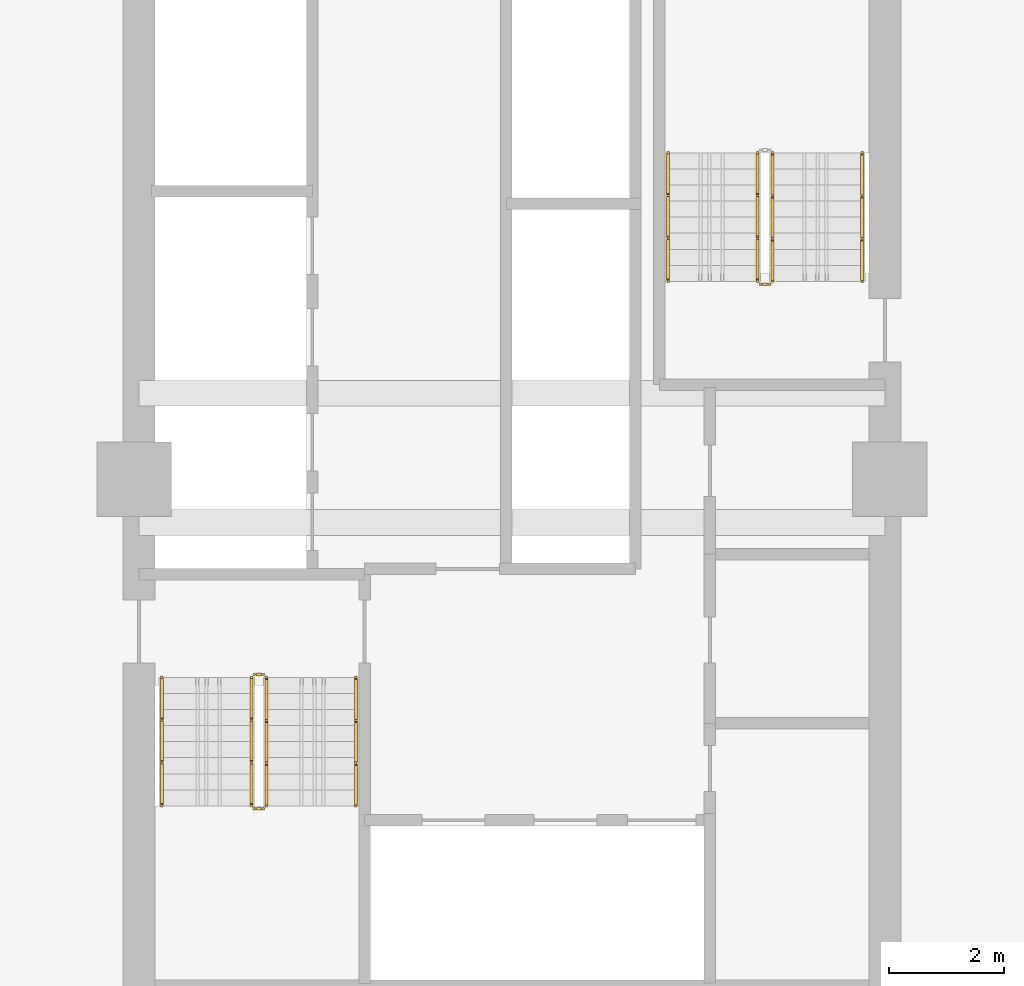
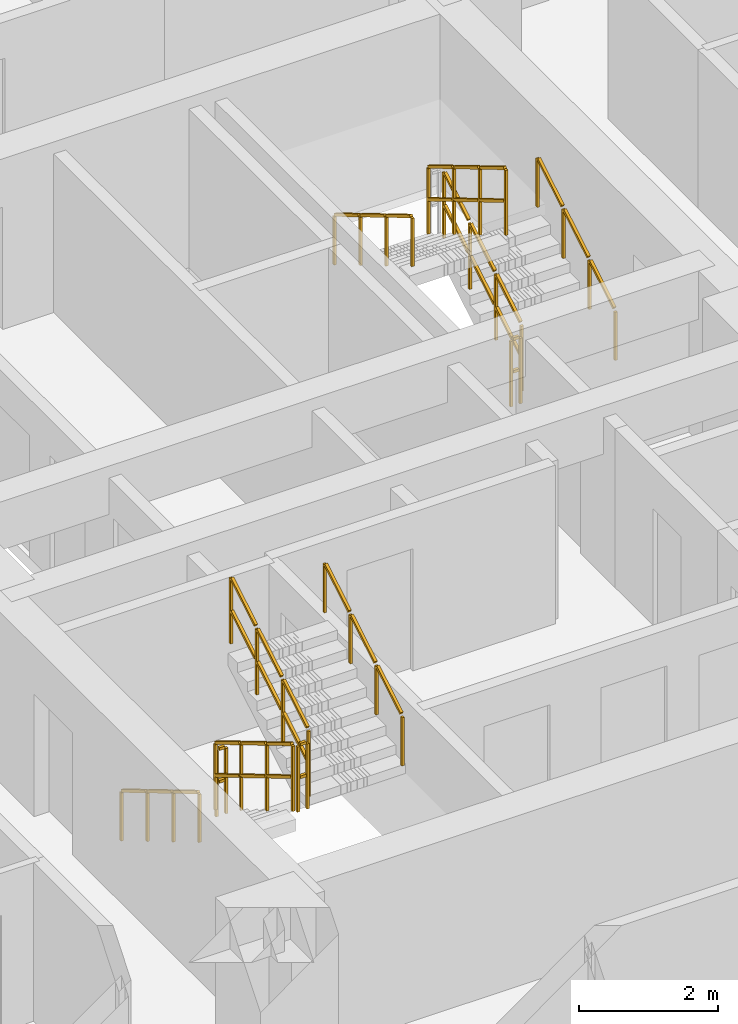
# One storey, part 23 of 25: 11 railings.
"""IFC4 building model written with IfcOpenShell, lengths in metres."""

from ifc_helpers import new_model, si_unit, direction, frame, origin, origin_2d, place, context, subcontext, project, spatial, rectangle, extrude, material, type_object, element, save


model = new_model("IFC4")

# Units and contexts
model_context = context("Model", 3, precision=1e-05, world=origin(), true_north=direction((0.0, 1.0)))
body_context = subcontext(model_context, "Body", "Model", "MODEL_VIEW")
ifc_project = project(units=[si_unit("LENGTHUNIT", "METRE"), si_unit("AREAUNIT", "SQUARE_METRE"), si_unit("VOLUMEUNIT", "CUBIC_METRE"), si_unit("PLANEANGLEUNIT", "RADIAN"), si_unit("MASSUNIT", "GRAM", prefix="KILO")], contexts=[model_context])

# Site, building, storey
site_placement = place(None, origin())
site = spatial("IfcSite", under=ifc_project, at=site_placement, CompositionType="ELEMENT")
building_placement = place(site_placement, origin())
building = spatial("IfcBuilding", under=site, at=building_placement, Name="Saelheon Loggia Tower", CompositionType="ELEMENT")
storey_placement = place(building_placement, frame((0.0, 0.0, 80.85009765625)))
storey = spatial("IfcBuildingStorey", under=building, at=storey_placement, Name="L25", CompositionType="ELEMENT", Elevation=80.85009765625)

# Railings
ifc_material_1 = material(Name="Galvanised Steel S275 Stairwell Guardrail", Category="steel")
railing_type_1 = type_object("IfcRailingType", Name="Guard_StairWell_RL_STG", PredefinedType="GUARDRAIL", material=ifc_material_1)
railing_1_placement = place(storey_placement, frame((33.4599609375, 23.550048828125, 0.16650390625)))
element("IfcRailing", 1, at=railing_1_placement, inside=storey, type_object=railing_type_1, Name="L25 ST1 stair guard 1", PredefinedType="GUARDRAIL", context=body_context, shape_type="SweptSolid", body=[
    extrude(rectangle(XDim=0.048095703125, YDim=0.048095703125, at=origin_2d()), frame((0.0, -0.028564453125, 1.19287109375), z_axis=(0.0, -0.859264461869, 0.511531606619), x_axis=(1.0, 0.0, 0.0)), (0.0, 0.0, 1.0), 0.802490234375),
    extrude(rectangle(XDim=0.048095703125, YDim=0.048095703125, at=origin_2d()), frame((0.0, -0.028564453125, 0.616943359375), z_axis=(0.0, -0.859264461869, 0.511531606619), x_axis=(1.0, 0.0, 0.0)), (0.0, 0.0, 1.0), 0.802490234375),
    extrude(rectangle(XDim=0.048095703125, YDim=0.048095703125, at=origin_2d()), frame((0.0, -0.775146484375, 1.637451171875), z_axis=(0.0, -0.859264461869, 0.511531606619), x_axis=(1.0, 0.0, 0.0)), (0.0, 0.0, 1.0), 0.802490234375),
    extrude(rectangle(XDim=0.048095703125, YDim=0.048095703125, at=origin_2d()), frame((0.0, -0.775146484375, 1.0615234375), z_axis=(0.0, -0.859264461869, 0.511531606619), x_axis=(1.0, 0.0, 0.0)), (0.0, 0.0, 1.0), 0.802490234375),
    extrude(rectangle(XDim=0.048095703125, YDim=0.048095703125, at=origin_2d()), frame((0.0, -1.52197265625, 2.081787109375), z_axis=(0.0, -0.859264461869, 0.511531606619), x_axis=(1.0, 0.0, 0.0)), (0.0, 0.0, 1.0), 0.802490234375),
    extrude(rectangle(XDim=0.048095703125, YDim=0.048095703125, at=origin_2d()), frame((0.0, -1.52197265625, 1.505859375), z_axis=(0.0, -0.859264461869, 0.511531606619), x_axis=(1.0, 0.0, 0.0)), (0.0, 0.0, 1.0), 0.802490234375),
    extrude(rectangle(XDim=0.0419921875, YDim=0.0419921875, at=origin_2d()), origin(), (0.0, 0.0, 1.0), 1.14794921875),
    extrude(rectangle(XDim=0.0419921875, YDim=0.0419921875, at=origin_2d()), frame((0.0, -0.74658203125, 0.444580078125)), (0.0, 0.0, 1.0), 1.14794921875),
    extrude(rectangle(XDim=0.0419921875, YDim=0.0419921875, at=origin_2d()), frame((0.0, -1.493408203125, 0.888916015625)), (0.0, 0.0, 1.0), 1.14794921875),
    extrude(rectangle(XDim=0.0419921875, YDim=0.0419921875, at=origin_2d()), frame((0.0, -2.239990234375, 1.33349609375)), (0.0, 0.0, 1.0), 1.14794921875),
])
railing_2_placement = place(storey_placement, frame((33.510009765625, 21.260009765625, 1.5)))
element("IfcRailing", 2, at=railing_2_placement, inside=storey, type_object=railing_type_1, Name="L25 ST1 stair guard 2", PredefinedType="GUARDRAIL", context=body_context, shape_type="SweptSolid", body=[
    extrude(rectangle(XDim=0.048095703125, YDim=0.048095703125, at=origin_2d()), frame((0.033203125, 0.0, 1.17578125), z_axis=(1.0, 0.0, 0.0), x_axis=(0.0, 1.0, 0.0)), (0.0, 0.0, 1.0), 0.093505859375),
    extrude(rectangle(XDim=0.048095703125, YDim=0.048095703125, at=origin_2d()), frame((0.033203125, 0.0, 0.60009765625), z_axis=(1.0, 0.0, 0.0), x_axis=(0.0, 1.0, 0.0)), (0.0, 0.0, 1.0), 0.093505859375),
    extrude(rectangle(XDim=0.0419921875, YDim=0.0419921875, at=origin_2d()), origin(), (0.0, 0.0, 1.0), 1.14794921875),
    extrude(rectangle(XDim=0.0419921875, YDim=0.0419921875, at=origin_2d()), frame((0.159912109375, 0.0, 0.0)), (0.0, 0.0, 1.0), 1.14794921875),
])
railing_3_placement = place(storey_placement, frame((33.719970703125, 21.31005859375, 1.66650390625)))
element("IfcRailing", 3, at=railing_3_placement, inside=storey, type_object=railing_type_1, Name="L25 ST1 stair guard 3", PredefinedType="GUARDRAIL", context=body_context, shape_type="SweptSolid", body=[
    extrude(rectangle(XDim=0.048095703125, YDim=0.048095703125, at=origin_2d()), frame((0.0, 0.028564453125, 1.19287109375), z_axis=(0.0, 0.859264461869, 0.511531606619), x_axis=(-1.0, 0.0, 0.0)), (0.0, 0.0, 1.0), 0.802490234375),
    extrude(rectangle(XDim=0.048095703125, YDim=0.048095703125, at=origin_2d()), frame((0.0, 0.028564453125, 0.616943359375), z_axis=(0.0, 0.859264461869, 0.511531606619), x_axis=(-1.0, 0.0, 0.0)), (0.0, 0.0, 1.0), 0.802490234375),
    extrude(rectangle(XDim=0.048095703125, YDim=0.048095703125, at=origin_2d()), frame((0.0, 0.775146484375, 1.637451171875), z_axis=(0.0, 0.859264461869, 0.511531606619), x_axis=(-1.0, 0.0, 0.0)), (0.0, 0.0, 1.0), 0.802490234375),
    extrude(rectangle(XDim=0.048095703125, YDim=0.048095703125, at=origin_2d()), frame((0.0, 0.775146484375, 1.0615234375), z_axis=(0.0, 0.859264461869, 0.511531606619), x_axis=(-1.0, 0.0, 0.0)), (0.0, 0.0, 1.0), 0.802490234375),
    extrude(rectangle(XDim=0.048095703125, YDim=0.048095703125, at=origin_2d()), frame((0.0, 1.52197265625, 2.081787109375), z_axis=(0.0, 0.859264461869, 0.511531606619), x_axis=(-1.0, 0.0, 0.0)), (0.0, 0.0, 1.0), 0.802490234375),
    extrude(rectangle(XDim=0.048095703125, YDim=0.048095703125, at=origin_2d()), frame((0.0, 1.52197265625, 1.505859375), z_axis=(0.0, 0.859264461869, 0.511531606619), x_axis=(-1.0, 0.0, 0.0)), (0.0, 0.0, 1.0), 0.802490234375),
    extrude(rectangle(XDim=0.0419921875, YDim=0.0419921875, at=origin_2d()), origin(), (0.0, 0.0, 1.0), 1.14794921875),
    extrude(rectangle(XDim=0.0419921875, YDim=0.0419921875, at=origin_2d()), frame((0.0, 0.74658203125, 0.444580078125)), (0.0, 0.0, 1.0), 1.14794921875),
    extrude(rectangle(XDim=0.0419921875, YDim=0.0419921875, at=origin_2d()), frame((0.0, 1.493408203125, 0.888916015625)), (0.0, 0.0, 1.0), 1.14794921875),
    extrude(rectangle(XDim=0.0419921875, YDim=0.0419921875, at=origin_2d()), frame((0.0, 2.239990234375, 1.33349609375)), (0.0, 0.0, 1.0), 1.14794921875),
])
railing_4_placement = place(storey_placement, frame((33.510009765625, 23.60009765625, 0.0)))
element("IfcRailing", 4, at=railing_4_placement, inside=storey, type_object=railing_type_1, Name="L25 ST1 stair guard 4", PredefinedType="GUARDRAIL", context=body_context, shape_type="SweptSolid", body=[
    extrude(rectangle(XDim=0.048095703125, YDim=0.048095703125, at=origin_2d()), frame((0.033203125, 0.0, 1.17578125), z_axis=(1.0, 0.0, 0.0), x_axis=(0.0, 1.0, 0.0)), (0.0, 0.0, 1.0), 0.093505859375),
    extrude(rectangle(XDim=0.048095703125, YDim=0.048095703125, at=origin_2d()), frame((0.033203125, 0.0, 0.60009765625), z_axis=(1.0, 0.0, 0.0), x_axis=(0.0, 1.0, 0.0)), (0.0, 0.0, 1.0), 0.093505859375),
    extrude(rectangle(XDim=0.0419921875, YDim=0.0419921875, at=origin_2d()), origin(), (0.0, 0.0, 1.0), 1.14794921875),
    extrude(rectangle(XDim=0.0419921875, YDim=0.0419921875, at=origin_2d()), frame((0.159912109375, 0.0, 0.0)), (0.0, 0.0, 1.0), 1.14794921875),
])
railing_5_placement = place(storey_placement, frame((42.5400390625, 30.449951171875, 0.16650390625)))
element("IfcRailing", 5, at=railing_5_placement, inside=storey, type_object=railing_type_1, Name="L25 ST2 stair guard 1", PredefinedType="GUARDRAIL", context=body_context, shape_type="SweptSolid", body=[
    extrude(rectangle(XDim=0.048095703125, YDim=0.048095703125, at=origin_2d()), frame((0.0, 0.028564453125, 1.19287109375), z_axis=(0.0, 0.859264461869, 0.511531606619), x_axis=(-1.0, 0.0, 0.0)), (0.0, 0.0, 1.0), 0.802490234375),
    extrude(rectangle(XDim=0.048095703125, YDim=0.048095703125, at=origin_2d()), frame((0.0, 0.028564453125, 0.616943359375), z_axis=(0.0, 0.859264461869, 0.511531606619), x_axis=(-1.0, 0.0, 0.0)), (0.0, 0.0, 1.0), 0.802490234375),
    extrude(rectangle(XDim=0.048095703125, YDim=0.048095703125, at=origin_2d()), frame((0.0, 0.775146484375, 1.637451171875), z_axis=(0.0, 0.859264461869, 0.511531606619), x_axis=(-1.0, 0.0, 0.0)), (0.0, 0.0, 1.0), 0.802490234375),
    extrude(rectangle(XDim=0.048095703125, YDim=0.048095703125, at=origin_2d()), frame((0.0, 0.775146484375, 1.0615234375), z_axis=(0.0, 0.859264461869, 0.511531606619), x_axis=(-1.0, 0.0, 0.0)), (0.0, 0.0, 1.0), 0.802490234375),
    extrude(rectangle(XDim=0.048095703125, YDim=0.048095703125, at=origin_2d()), frame((0.0, 1.52197265625, 2.081787109375), z_axis=(0.0, 0.859264461869, 0.511531606619), x_axis=(-1.0, 0.0, 0.0)), (0.0, 0.0, 1.0), 0.802490234375),
    extrude(rectangle(XDim=0.048095703125, YDim=0.048095703125, at=origin_2d()), frame((0.0, 1.52197265625, 1.505859375), z_axis=(0.0, 0.859264461869, 0.511531606619), x_axis=(-1.0, 0.0, 0.0)), (0.0, 0.0, 1.0), 0.802490234375),
    extrude(rectangle(XDim=0.0419921875, YDim=0.0419921875, at=origin_2d()), origin(), (0.0, 0.0, 1.0), 1.14794921875),
    extrude(rectangle(XDim=0.0419921875, YDim=0.0419921875, at=origin_2d()), frame((0.0, 0.74658203125, 0.444580078125)), (0.0, 0.0, 1.0), 1.14794921875),
    extrude(rectangle(XDim=0.0419921875, YDim=0.0419921875, at=origin_2d()), frame((0.0, 1.493408203125, 0.888916015625)), (0.0, 0.0, 1.0), 1.14794921875),
    extrude(rectangle(XDim=0.0419921875, YDim=0.0419921875, at=origin_2d()), frame((0.0, 2.239990234375, 1.33349609375)), (0.0, 0.0, 1.0), 1.14794921875),
])
railing_6_placement = place(storey_placement, frame((42.280029296875, 32.68994140625, 1.66650390625)))
element("IfcRailing", 6, at=railing_6_placement, inside=storey, type_object=railing_type_1, Name="L25 ST2 stair guard 3", PredefinedType="GUARDRAIL", context=body_context, shape_type="SweptSolid", body=[
    extrude(rectangle(XDim=0.048095703125, YDim=0.048095703125, at=origin_2d()), frame((0.0, -0.028564453125, 1.19287109375), z_axis=(0.0, -0.859264461869, 0.511531606619), x_axis=(1.0, 0.0, 0.0)), (0.0, 0.0, 1.0), 0.802490234375),
    extrude(rectangle(XDim=0.048095703125, YDim=0.048095703125, at=origin_2d()), frame((0.0, -0.028564453125, 0.616943359375), z_axis=(0.0, -0.859264461869, 0.511531606619), x_axis=(1.0, 0.0, 0.0)), (0.0, 0.0, 1.0), 0.802490234375),
    extrude(rectangle(XDim=0.048095703125, YDim=0.048095703125, at=origin_2d()), frame((0.0, -0.775146484375, 1.637451171875), z_axis=(0.0, -0.859264461869, 0.511531606619), x_axis=(1.0, 0.0, 0.0)), (0.0, 0.0, 1.0), 0.802490234375),
    extrude(rectangle(XDim=0.048095703125, YDim=0.048095703125, at=origin_2d()), frame((0.0, -0.775146484375, 1.0615234375), z_axis=(0.0, -0.859264461869, 0.511531606619), x_axis=(1.0, 0.0, 0.0)), (0.0, 0.0, 1.0), 0.802490234375),
    extrude(rectangle(XDim=0.048095703125, YDim=0.048095703125, at=origin_2d()), frame((0.0, -1.52197265625, 2.081787109375), z_axis=(0.0, -0.859264461869, 0.511531606619), x_axis=(1.0, 0.0, 0.0)), (0.0, 0.0, 1.0), 0.802490234375),
    extrude(rectangle(XDim=0.048095703125, YDim=0.048095703125, at=origin_2d()), frame((0.0, -1.52197265625, 1.505859375), z_axis=(0.0, -0.859264461869, 0.511531606619), x_axis=(1.0, 0.0, 0.0)), (0.0, 0.0, 1.0), 0.802490234375),
    extrude(rectangle(XDim=0.0419921875, YDim=0.0419921875, at=origin_2d()), origin(), (0.0, 0.0, 1.0), 1.14794921875),
    extrude(rectangle(XDim=0.0419921875, YDim=0.0419921875, at=origin_2d()), frame((0.0, -0.74658203125, 0.444580078125)), (0.0, 0.0, 1.0), 1.14794921875),
    extrude(rectangle(XDim=0.0419921875, YDim=0.0419921875, at=origin_2d()), frame((0.0, -1.493408203125, 0.888916015625)), (0.0, 0.0, 1.0), 1.14794921875),
    extrude(rectangle(XDim=0.0419921875, YDim=0.0419921875, at=origin_2d()), frame((0.0, -2.239990234375, 1.33349609375)), (0.0, 0.0, 1.0), 1.14794921875),
])
railing_7_placement = place(storey_placement, frame((42.489990234375, 30.39990234375, 0.0)))
element("IfcRailing", 7, at=railing_7_placement, inside=storey, type_object=railing_type_1, Name="L25 ST2 stair guard 4", PredefinedType="GUARDRAIL", context=body_context, shape_type="SweptSolid", body=[
    extrude(rectangle(XDim=0.048095703125, YDim=0.048095703125, at=origin_2d()), frame((-0.033203125, 0.0, 1.17578125), z_axis=(-1.0, 0.0, 0.0), x_axis=(0.0, -1.0, 0.0)), (0.0, 0.0, 1.0), 0.093505859375),
    extrude(rectangle(XDim=0.048095703125, YDim=0.048095703125, at=origin_2d()), frame((-0.033203125, 0.0, 0.60009765625), z_axis=(-1.0, 0.0, 0.0), x_axis=(0.0, -1.0, 0.0)), (0.0, 0.0, 1.0), 0.093505859375),
    extrude(rectangle(XDim=0.0419921875, YDim=0.0419921875, at=origin_2d()), origin(), (0.0, 0.0, 1.0), 1.14794921875),
    extrude(rectangle(XDim=0.0419921875, YDim=0.0419921875, at=origin_2d()), frame((-0.159912109375, 0.0, 0.0)), (0.0, 0.0, 1.0), 1.14794921875),
])
ifc_material_2 = material(Name="Stainless Steel 304 Tubular Handrail", Category="steel")
railing_type_2 = type_object("IfcRailingType", Name="Handrail_Stair_RL_HR1", PredefinedType="HANDRAIL", material=ifc_material_2)
railing_8_placement = place(storey_placement, frame((31.89990234375, 23.550048828125, 0.16650390625)))
element("IfcRailing", 8, at=railing_8_placement, inside=storey, type_object=railing_type_2, Name="L25 ST1 stair handrail 1", PredefinedType="HANDRAIL", context=body_context, shape_type="SweptSolid", body=[
    extrude(rectangle(XDim=0.048095703125, YDim=0.048095703125, at=origin_2d()), frame((0.0, -0.028564453125, 0.892822265625), z_axis=(0.0, -0.859264461869, 0.511531606619), x_axis=(1.0, 0.0, 0.0)), (0.0, 0.0, 1.0), 0.802490234375),
    extrude(rectangle(XDim=0.048095703125, YDim=0.048095703125, at=origin_2d()), frame((0.0, -0.775146484375, 1.33740234375), z_axis=(0.0, -0.859264461869, 0.511531606619), x_axis=(1.0, 0.0, 0.0)), (0.0, 0.0, 1.0), 0.802490234375),
    extrude(rectangle(XDim=0.048095703125, YDim=0.048095703125, at=origin_2d()), frame((0.0, -1.52197265625, 1.78173828125), z_axis=(0.0, -0.859264461869, 0.511531606619), x_axis=(1.0, 0.0, 0.0)), (0.0, 0.0, 1.0), 0.802490234375),
    extrude(rectangle(XDim=0.0419921875, YDim=0.0419921875, at=origin_2d()), origin(), (0.0, 0.0, 1.0), 0.847900390625),
    extrude(rectangle(XDim=0.0419921875, YDim=0.0419921875, at=origin_2d()), frame((0.0, -0.74658203125, 0.444580078125)), (0.0, 0.0, 1.0), 0.847900390625),
    extrude(rectangle(XDim=0.0419921875, YDim=0.0419921875, at=origin_2d()), frame((0.0, -1.493408203125, 0.888916015625)), (0.0, 0.0, 1.0), 0.847900390625),
    extrude(rectangle(XDim=0.0419921875, YDim=0.0419921875, at=origin_2d()), frame((0.0, -2.239990234375, 1.33349609375)), (0.0, 0.0, 1.0), 0.847900390625),
])
for number, where, name in (
    (9, (35.280029296875, 21.31005859375, 1.66650390625), "L25 ST1 stair handrail 2"),
    (10, (44.10009765625, 30.449951171875, 0.16650390625), "L25 ST2 stair handrail 1"),
):
    element("IfcRailing", number, at=place(storey_placement, frame(where)), inside=storey, type_object=railing_type_2, Name=name, PredefinedType="HANDRAIL", context=body_context, shape_type="SweptSolid", body=[
        extrude(rectangle(XDim=0.048095703125, YDim=0.048095703125, at=origin_2d()), frame((0.0, 0.028564453125, 0.892822265625), z_axis=(0.0, 0.859264461869, 0.511531606619), x_axis=(-1.0, 0.0, 0.0)), (0.0, 0.0, 1.0), 0.802490234375),
        extrude(rectangle(XDim=0.048095703125, YDim=0.048095703125, at=origin_2d()), frame((0.0, 0.775146484375, 1.33740234375), z_axis=(0.0, 0.859264461869, 0.511531606619), x_axis=(-1.0, 0.0, 0.0)), (0.0, 0.0, 1.0), 0.802490234375),
        extrude(rectangle(XDim=0.048095703125, YDim=0.048095703125, at=origin_2d()), frame((0.0, 1.52197265625, 1.78173828125), z_axis=(0.0, 0.859264461869, 0.511531606619), x_axis=(-1.0, 0.0, 0.0)), (0.0, 0.0, 1.0), 0.802490234375),
        extrude(rectangle(XDim=0.0419921875, YDim=0.0419921875, at=origin_2d()), origin(), (0.0, 0.0, 1.0), 0.847900390625),
        extrude(rectangle(XDim=0.0419921875, YDim=0.0419921875, at=origin_2d()), frame((0.0, 0.74658203125, 0.444580078125)), (0.0, 0.0, 1.0), 0.847900390625),
        extrude(rectangle(XDim=0.0419921875, YDim=0.0419921875, at=origin_2d()), frame((0.0, 1.493408203125, 0.888916015625)), (0.0, 0.0, 1.0), 0.847900390625),
        extrude(rectangle(XDim=0.0419921875, YDim=0.0419921875, at=origin_2d()), frame((0.0, 2.239990234375, 1.33349609375)), (0.0, 0.0, 1.0), 0.847900390625),
    ])
railing_9_placement = place(storey_placement, frame((40.719970703125, 32.68994140625, 1.66650390625)))
element("IfcRailing", 11, at=railing_9_placement, inside=storey, type_object=railing_type_2, Name="L25 ST2 stair handrail 2", PredefinedType="HANDRAIL", context=body_context, shape_type="SweptSolid", body=[
    extrude(rectangle(XDim=0.048095703125, YDim=0.048095703125, at=origin_2d()), frame((0.0, -0.028564453125, 0.892822265625), z_axis=(0.0, -0.859264461869, 0.511531606619), x_axis=(1.0, 0.0, 0.0)), (0.0, 0.0, 1.0), 0.802490234375),
    extrude(rectangle(XDim=0.048095703125, YDim=0.048095703125, at=origin_2d()), frame((0.0, -0.775146484375, 1.33740234375), z_axis=(0.0, -0.859264461869, 0.511531606619), x_axis=(1.0, 0.0, 0.0)), (0.0, 0.0, 1.0), 0.802490234375),
    extrude(rectangle(XDim=0.048095703125, YDim=0.048095703125, at=origin_2d()), frame((0.0, -1.52197265625, 1.78173828125), z_axis=(0.0, -0.859264461869, 0.511531606619), x_axis=(1.0, 0.0, 0.0)), (0.0, 0.0, 1.0), 0.802490234375),
    extrude(rectangle(XDim=0.0419921875, YDim=0.0419921875, at=origin_2d()), origin(), (0.0, 0.0, 1.0), 0.847900390625),
    extrude(rectangle(XDim=0.0419921875, YDim=0.0419921875, at=origin_2d()), frame((0.0, -0.74658203125, 0.444580078125)), (0.0, 0.0, 1.0), 0.847900390625),
    extrude(rectangle(XDim=0.0419921875, YDim=0.0419921875, at=origin_2d()), frame((0.0, -1.493408203125, 0.888916015625)), (0.0, 0.0, 1.0), 0.847900390625),
    extrude(rectangle(XDim=0.0419921875, YDim=0.0419921875, at=origin_2d()), frame((0.0, -2.239990234375, 1.33349609375)), (0.0, 0.0, 1.0), 0.847900390625),
])

save(model, "model.ifc")
